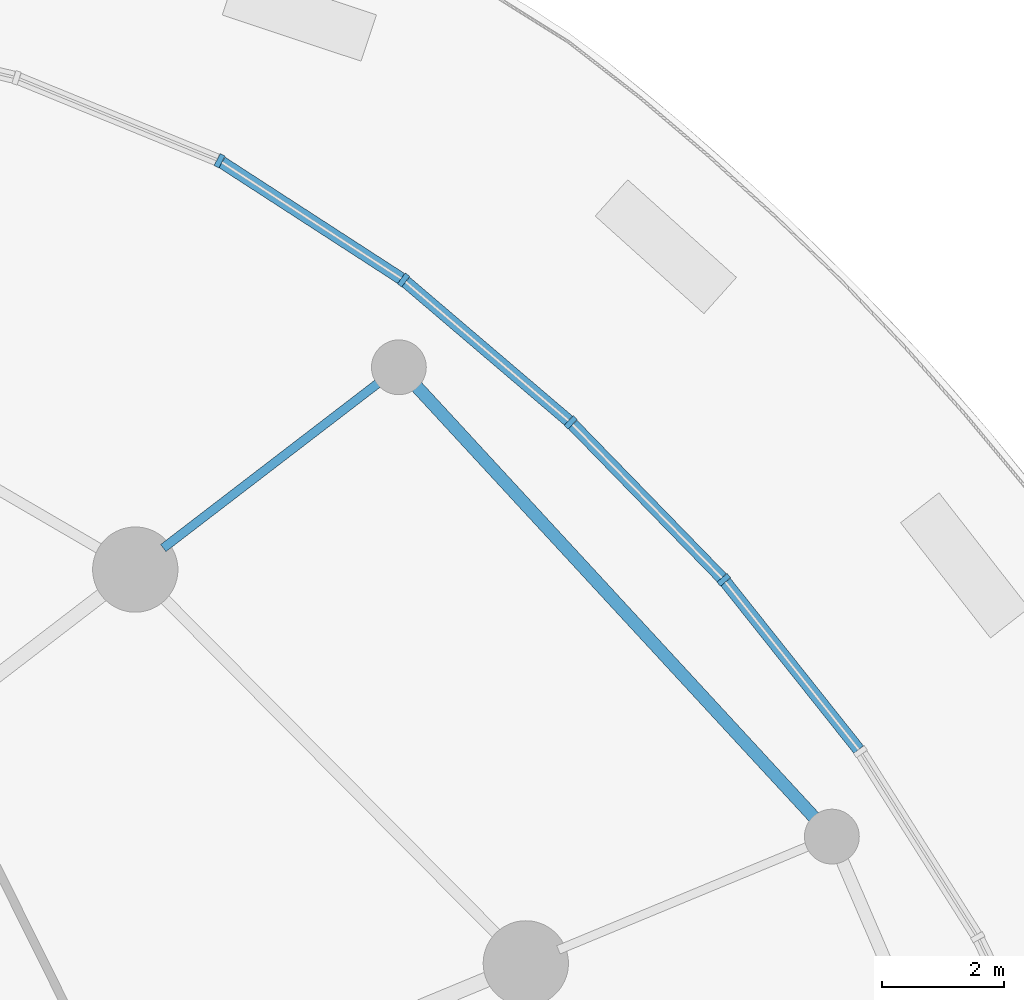
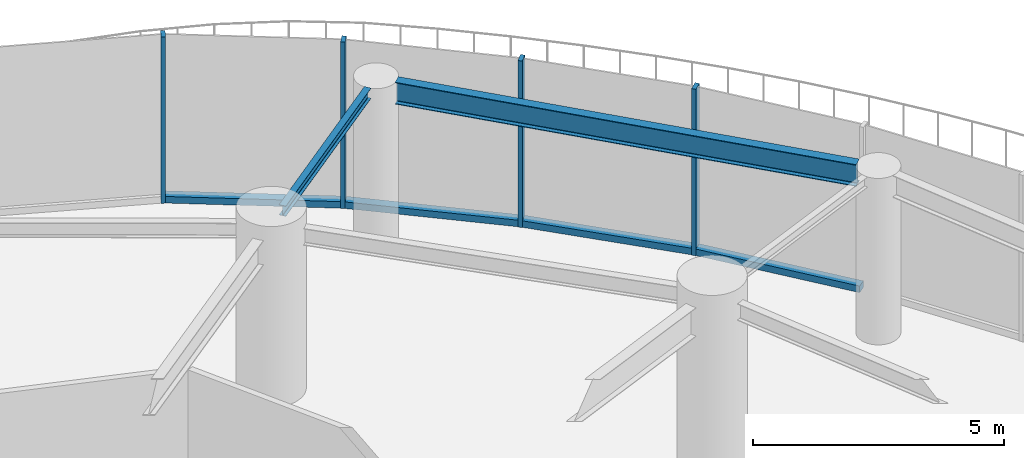
# One storey, part 7 of 19: 8 members, 2 beams, 2 elements without a shape of their own.
"""IFC4 building model written with IfcOpenShell, lengths in metres."""

from ifc_helpers import new_model, si_unit, direction, frame, origin, origin_2d, place, context, subcontext, project, spatial, rectangle, i_section, extrude, source, transform, mapped, material, layer, layer_set, material_profile, profile_set, type_object, element, aggregate, save


model = new_model("IFC4")

# Units and contexts
model_context = context("Model", 3, precision=1e-05, world=origin(), true_north=direction((0.0, 1.0)))
body_context = subcontext(model_context, "Body", "Model", "MODEL_VIEW")
ifc_project = project(units=[si_unit("LENGTHUNIT", "METRE"), si_unit("AREAUNIT", "SQUARE_METRE"), si_unit("VOLUMEUNIT", "CUBIC_METRE"), si_unit("PLANEANGLEUNIT", "RADIAN"), si_unit("MASSUNIT", "GRAM", prefix="KILO")], contexts=[model_context])

# Site, building, storey
site_placement = place(None, origin())
site = spatial("IfcSite", under=ifc_project, at=site_placement, CompositionType="ELEMENT")
building_placement = place(site_placement, origin())
building = spatial("IfcBuilding", under=site, at=building_placement, Name="Spindrift Exchange Tower", CompositionType="ELEMENT")
storey_placement = place(building_placement, frame((0.0, 0.0, 13.800048828125)))
storey = spatial("IfcBuildingStorey", under=building, at=storey_placement, Name="L03", CompositionType="ELEMENT", Elevation=13.800048828125)

# Beams
ifc_material_1 = material(Name="Steel Grade 300", Category="steel")
ifc_material_profile_1 = material_profile(ifc_material_1, i_section(OverallWidth=0.14599609375, OverallDepth=0.251953125, WebThickness=0.006103515625, FlangeThickness=0.008544921875, FilletRadius=0.011962890625, at=origin_2d()), Name="250UB31.4")
ifc_profile_set_1 = profile_set([ifc_material_profile_1], Name="Steel Grade 300")
beam_type_1 = type_object("IfcBeamType", Name="Floor Beam 250UB31.4 Steel Grade 300", PredefinedType="BEAM", material=ifc_profile_set_1)
shared_shape_1 = source(origin(), body_context, "Body", "SweptSolid", [
    extrude(i_section(OverallWidth=0.14599609375, OverallDepth=0.251953125, WebThickness=0.006103515625, FlangeThickness=0.008544921875, FilletRadius=0.011962890625, at=origin_2d()), origin(), (0.0, 0.0, 1.0), 4.44677734375),
])
beam_1_placement = place(storey_placement, frame((78.295654296875, 68.177490234375, 3.924072265625), z_axis=(0.79335002513, 0.608765749387, 0.0), x_axis=(-0.608765749387, 0.79335002513, 0.0)))
element("IfcBeam", 1, at=beam_1_placement, inside=storey, type_object=beam_type_1, Name="L03 radial beam R03C1", PredefinedType="BEAM", context=body_context, shape_type="MappedRepresentation", body=[
    mapped(shared_shape_1, transform((0.0, 0.0, 0.0), scale=1.0)),
])
ifc_material_profile_2 = material_profile(ifc_material_1, i_section(OverallWidth=0.208984375, OverallDepth=0.532958984375, WebThickness=0.01025390625, FlangeThickness=0.015625, FilletRadius=0.013916015625, at=origin_2d()), Name="530UB92.4")
ifc_profile_set_2 = profile_set([ifc_material_profile_2], Name="Steel Grade 300")
beam_type_2 = type_object("IfcBeamType", Name="Edge Beam 530UB92.4 Steel Grade 300", PredefinedType="SPANDREL", material=ifc_profile_set_2)
shared_shape_2 = source(origin(), body_context, "Body", "SweptSolid", [
    extrude(i_section(OverallWidth=0.208984375, OverallDepth=0.532958984375, WebThickness=0.01025390625, FlangeThickness=0.015625, FilletRadius=0.013916015625, at=origin_2d()), origin(), (0.0, 0.0, 1.0), 9.62548828125),
])
beam_2_placement = place(storey_placement, frame((88.983154296875, 63.755615234375, 3.783447265625), z_axis=(-0.678088348465, 0.734980402239, 0.0), x_axis=(-0.734980402239, -0.678088348465, 0.0)))
element("IfcBeam", 2, at=beam_2_placement, inside=storey, type_object=beam_type_2, Name="L03 cascade edge beam G02", PredefinedType="SPANDREL", context=body_context, shape_type="MappedRepresentation", body=[
    mapped(shared_shape_2, transform((0.0, 0.0, 0.0), scale=1.0)),
])

# Curtain wall, members
ifc_material_2 = material(Name="Fritted laminated glass with bronze frame", Category="glass")
ifc_layer = layer(ifc_material_2, 0.219970703125)
ifc_layer_set = layer_set([ifc_layer], Name="PODIUM BRONZE GLAZED WALL")
curtain_wall_type = type_object("IfcCurtainWallType", Name="PODIUM BRONZE GLAZED WALL", PredefinedType="NOTDEFINED", material=ifc_layer_set)
curtain_wall_1_placement = place(storey_placement, origin())
curtain_wall_1 = element("IfcCurtainWall", 3, at=curtain_wall_1_placement, inside=storey, type_object=curtain_wall_type, Name="L03 Podium Bronze Glazed Wall run 2", PredefinedType="NOTDEFINED")
ifc_material_3 = material(Name="Bronze anodised aluminium", Category="aluminium")
ifc_material_profile_3 = material_profile(ifc_material_3, rectangle(XDim=0.199951171875, YDim=0.159912109375, at=origin_2d()), Name="PODIUM BRONZE GLAZED WALL TRANSOM 200X160")
ifc_profile_set_3 = profile_set([ifc_material_profile_3], Name="Bronze anodised aluminium")
member_type_1 = type_object("IfcMemberType", Name="PODIUM BRONZE GLAZED WALL TRANSOM 200X160", PredefinedType="USERDEFINED", material=ifc_profile_set_3)
shared_shape_3 = source(origin(), body_context, "Body", "SweptSolid", [
    extrude(rectangle(XDim=0.199951171875, YDim=0.159912109375, at=origin_2d()), origin(), (0.0, 0.0, 1.0), 3.510498046875),
])
member_1_placement = place(storey_placement, frame((82.20361328125, 72.60302734375, 0.079833984375), z_axis=(-0.83922292963, 0.543787526873, 0.0), x_axis=(-0.543787526873, -0.83922292963, 0.0)))
member_1 = element("IfcMember", 4, at=member_1_placement, type_object=member_type_1, Name="L03 transom CW-P.9", ObjectType="TRANSOM", PredefinedType="USERDEFINED", context=body_context, shape_type="MappedRepresentation", body=[
    mapped(shared_shape_3, transform((0.0, 0.0, 0.0), scale=1.0)),
])
ifc_material_profile_4 = material_profile(ifc_material_3, rectangle(XDim=0.090087890625, YDim=0.219970703125, at=origin_2d()), Name="PODIUM BRONZE GLAZED WALL MULLION 90X220")
ifc_profile_set_4 = profile_set([ifc_material_profile_4], Name="Bronze anodised aluminium")
member_type_2 = type_object("IfcMemberType", Name="PODIUM BRONZE GLAZED WALL MULLION 90X220", PredefinedType="MULLION", material=ifc_profile_set_4)
shared_shape_4 = source(origin(), body_context, "Body", "SweptSolid", [
    extrude(rectangle(XDim=0.090087890625, YDim=0.219970703125, at=origin_2d()), origin(), (0.0, 0.0, 1.0), 4.050048828125),
])
member_2_placement = place(storey_placement, frame((87.499267578125, 67.65576171875, 0.0), z_axis=(0.0, 0.0, 1.0), x_axis=(-0.660622039744, 0.750718669413, 0.0)))
member_2 = element("IfcMember", 5, at=member_2_placement, type_object=member_type_2, Name="L03 mullion CW-P.7", PredefinedType="MULLION", context=body_context, shape_type="MappedRepresentation", body=[
    mapped(shared_shape_4, transform((0.0, 0.0, 0.0), scale=1.0)),
])
member_3_placement = place(storey_placement, frame((84.9853515625, 70.239990234375, 0.0), z_axis=(0.0, 0.0, 1.0), x_axis=(-0.729992143356, 0.683455536695, 0.0)))
member_3 = element("IfcMember", 6, at=member_3_placement, type_object=member_type_2, Name="L03 mullion CW-P.8", PredefinedType="MULLION", context=body_context, shape_type="MappedRepresentation", body=[
    mapped(shared_shape_4, transform((0.0, 0.0, 0.0), scale=1.0)),
])
member_4_placement = place(storey_placement, frame((82.241455078125, 72.57861328125, 0.0), z_axis=(0.0, 0.0, 1.0), x_axis=(-0.801869379039, 0.597499371514, 0.0)))
member_4 = element("IfcMember", 7, at=member_4_placement, type_object=member_type_2, Name="L03 mullion CW-P.9", PredefinedType="MULLION", context=body_context, shape_type="MappedRepresentation", body=[
    mapped(shared_shape_4, transform((0.0, 0.0, 0.0), scale=1.0)),
])
member_5_placement = place(storey_placement, frame((79.2197265625, 74.53662109375, 0.0), z_axis=(0.0, 0.0, 1.0), x_axis=(-0.886306625338, 0.463098872685, 0.0)))
member_5 = element("IfcMember", 8, at=member_5_placement, type_object=member_type_2, Name="L03 mullion CW-P.10", PredefinedType="MULLION", context=body_context, shape_type="MappedRepresentation", body=[
    mapped(shared_shape_4, transform((0.0, 0.0, 0.0), scale=1.0)),
])

# Curtain wall, member
curtain_wall_2_placement = place(storey_placement, origin())
curtain_wall_2 = element("IfcCurtainWall", 9, at=curtain_wall_2_placement, inside=storey, type_object=curtain_wall_type, Name="L03 Podium Bronze Glazed Wall run 1", PredefinedType="NOTDEFINED")
shared_shape_5 = source(origin(), body_context, "Body", "SweptSolid", [
    extrude(rectangle(XDim=0.199951171875, YDim=0.159912109375, at=origin_2d()), origin(), (0.0, 0.0, 1.0), 3.514892578125),
])
member_6_placement = place(storey_placement, frame((89.714599609375, 64.869140625, 0.079833984375), z_axis=(-0.622277958687, 0.782796360577, 0.0), x_axis=(-0.782796360577, -0.622277958687, 0.0)))
member_6 = element("IfcMember", 10, at=member_6_placement, type_object=member_type_1, Name="L03 transom CW-P.6", ObjectType="TRANSOM", PredefinedType="USERDEFINED", context=body_context, shape_type="MappedRepresentation", body=[
    mapped(shared_shape_5, transform((0.0, 0.0, 0.0), scale=1.0)),
])
aggregate(curtain_wall_2, [member_6])

# Member
shared_shape_6 = source(origin(), body_context, "Body", "SweptSolid", [
    extrude(rectangle(XDim=0.199951171875, YDim=0.159912109375, at=origin_2d()), origin(), (0.0, 0.0, 1.0), 3.515380859375),
])
member_7_placement = place(storey_placement, frame((87.468017578125, 67.68798828125, 0.079833984375), z_axis=(-0.697281674947, 0.716797227801, 0.0), x_axis=(-0.716797227801, -0.697281674947, 0.0)))
member_7 = element("IfcMember", 11, at=member_7_placement, type_object=member_type_1, Name="L03 transom CW-P.7", ObjectType="TRANSOM", PredefinedType="USERDEFINED", context=body_context, shape_type="MappedRepresentation", body=[
    mapped(shared_shape_6, transform((0.0, 0.0, 0.0), scale=1.0)),
])

member_8_placement = place(storey_placement, frame((84.951171875, 70.26904296875, 0.079833984375), z_axis=(-0.761087031904, 0.64864977443, 0.0), x_axis=(-0.64864977443, -0.761087031904, 0.0)))
member_8 = element("IfcMember", 12, at=member_8_placement, type_object=member_type_1, Name="L03 transom CW-P.8", ObjectType="TRANSOM", PredefinedType="USERDEFINED", context=body_context, shape_type="MappedRepresentation", body=[
    mapped(shared_shape_6, transform((0.0, 0.0, 0.0), scale=1.0)),
])

aggregate(curtain_wall_1, [member_2, member_7, member_3, member_8, member_4, member_1, member_5])

save(model, "model.ifc")
